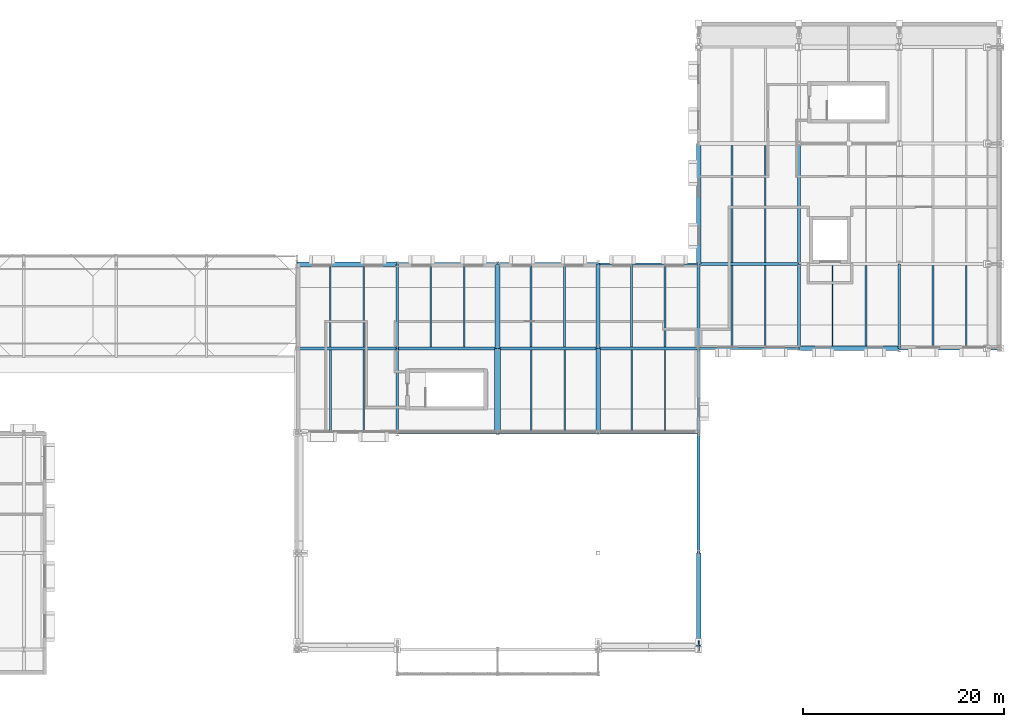
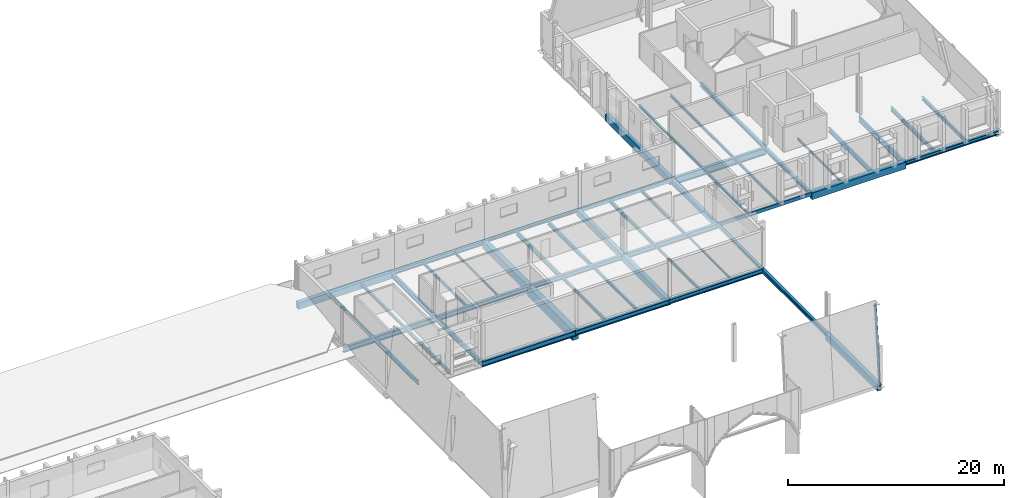
# One storey, part 40 of 90: 51 beams, 1 member.
"""IFC4 building model written with IfcOpenShell, lengths in metres."""

from ifc_helpers import new_model, si_unit, direction, frame, origin, origin_2d, place, context, subcontext, project, spatial, rectangle, hollow_rectangle, i_section, extrude, material, material_profile, profile_set, type_object, element, save


model = new_model("IFC4")

# Units and contexts
model_context = context("Model", 3, precision=1e-05, world=origin(), true_north=direction((0.0, 1.0)))
body_context = subcontext(model_context, "Body", "Model", "MODEL_VIEW")
ifc_project = project(units=[si_unit("LENGTHUNIT", "METRE"), si_unit("AREAUNIT", "SQUARE_METRE"), si_unit("VOLUMEUNIT", "CUBIC_METRE"), si_unit("PLANEANGLEUNIT", "RADIAN"), si_unit("MASSUNIT", "GRAM", prefix="KILO")], contexts=[model_context])

# Site, building, storey
site_placement = place(None, origin())
site = spatial("IfcSite", under=ifc_project, at=site_placement, CompositionType="ELEMENT")
building_placement = place(site_placement, origin())
building = spatial("IfcBuilding", under=site, at=building_placement, Name="Zereglee Splitstone Museum", CompositionType="ELEMENT")
storey_placement = place(building_placement, frame((0.0, 0.0, 4.800048828125)))
storey = spatial("IfcBuildingStorey", under=building, at=storey_placement, Name="L01", CompositionType="ELEMENT", Elevation=4.800048828125)

# Beams
ifc_material_1 = material(Name="Concrete C40/50", Category="concrete")
ifc_material_profile_1 = material_profile(ifc_material_1, rectangle(XDim=0.39990234375, YDim=0.64990234375, at=origin_2d()), Name="RC 400x650")
ifc_profile_set_1 = profile_set([ifc_material_profile_1], Name="Concrete C40/50")
beam_type_1 = type_object("IfcBeamType", Name="BG-04", PredefinedType="BEAM", material=ifc_profile_set_1)
beam_1_placement = place(storey_placement, frame((286.0, 30.0, -0.625), z_axis=(0.0, 1.0, 0.0), x_axis=(-1.0, 0.0, 0.0)))
element("IfcBeam", 1, at=beam_1_placement, inside=storey, type_object=beam_type_1, Name="Primary Girder L01 32 (30.0-38.4)", PredefinedType="BEAM", context=body_context, shape_type="SweptSolid", body=[
    extrude(rectangle(XDim=0.39990234375, YDim=0.64990234375, at=origin_2d()), origin(), (0.0, 0.0, 1.0), 8.39990234375),
])
ifc_material_profile_2 = material_profile(ifc_material_1, rectangle(XDim=0.449951171875, YDim=0.699951171875, at=origin_2d()), Name="RC 450x700")
ifc_profile_set_2 = profile_set([ifc_material_profile_2], Name="Concrete C40/50")
beam_type_2 = type_object("IfcBeamType", Name="BG-03", PredefinedType="BEAM", material=ifc_profile_set_2)
beam_2_placement = place(storey_placement, frame((286.0, 21.60009765625, -0.650146484375), z_axis=(0.0, 1.0, 0.0), x_axis=(-1.0, 0.0, 0.0)))
element("IfcBeam", 2, at=beam_2_placement, inside=storey, type_object=beam_type_2, Name="Primary Girder L01 32 (21.6-30.0)", PredefinedType="BEAM", context=body_context, shape_type="SweptSolid", body=[
    extrude(rectangle(XDim=0.449951171875, YDim=0.699951171875, at=origin_2d()), origin(), (0.0, 0.0, 1.0), 8.39990234375),
])
ifc_material_profile_3 = material_profile(ifc_material_1, rectangle(XDim=0.5, YDim=0.85009765625, at=origin_2d()), Name="RC 500x850")
ifc_profile_set_3 = profile_set([ifc_material_profile_3], Name="Concrete C40/50")
beam_type_3 = type_object("IfcBeamType", Name="BG-02", PredefinedType="BEAM", material=ifc_profile_set_3)
beam_3_placement = place(storey_placement, frame((276.0, 30.0, -0.72509765625), z_axis=(0.0, 1.0, 0.0), x_axis=(-1.0, 0.0, 0.0)))
element("IfcBeam", 3, at=beam_3_placement, inside=storey, type_object=beam_type_3, Name="Primary Girder L01 31 (30.0-38.4)", PredefinedType="BEAM", context=body_context, shape_type="SweptSolid", body=[
    extrude(rectangle(XDim=0.5, YDim=0.85009765625, at=origin_2d()), origin(), (0.0, 0.0, 1.0), 8.39990234375),
])
ifc_material_profile_4 = material_profile(ifc_material_1, rectangle(XDim=0.60009765625, YDim=1.10009765625, at=origin_2d()), Name="RC 600x1100")
ifc_profile_set_4 = profile_set([ifc_material_profile_4], Name="Concrete C40/50")
beam_type_4 = type_object("IfcBeamType", Name="BG-01", PredefinedType="BEAM", material=ifc_profile_set_4)
beam_4_placement = place(storey_placement, frame((276.0, 21.60009765625, -0.85009765625), z_axis=(0.0, 1.0, 0.0), x_axis=(-1.0, 0.0, 0.0)))
element("IfcBeam", 4, at=beam_4_placement, inside=storey, type_object=beam_type_4, Name="Primary Girder L01 31 (21.6-30.0)", PredefinedType="BEAM", context=body_context, shape_type="SweptSolid", body=[
    extrude(rectangle(XDim=0.60009765625, YDim=1.10009765625, at=origin_2d()), origin(), (0.0, 0.0, 1.0), 8.39990234375),
])
ifc_material_2 = material(Name="Steel S355J2", Category="steel")
ifc_material_profile_5 = material_profile(ifc_material_2, i_section(OverallWidth=0.300048828125, OverallDepth=0.360107421875, WebThickness=0.012451171875, FlangeThickness=0.0224609375, FilletRadius=0.027099609375, at=origin_2d()), Name="HE 360 B")
ifc_profile_set_5 = profile_set([ifc_material_profile_5], Name="Steel S355J2")
beam_type_5 = type_object("IfcBeamType", Name="BG-14", PredefinedType="BEAM", material=ifc_profile_set_5)
beam_5_placement = place(storey_placement, frame((306.0, 38.39990234375, -0.47998046875), z_axis=(0.0, 1.0, 0.0), x_axis=(-1.0, 0.0, 0.0)))
element("IfcBeam", 5, at=beam_5_placement, inside=storey, type_object=beam_type_5, Name="Primary Girder L01 34 (38.4-50.4)", PredefinedType="BEAM", context=body_context, shape_type="SweptSolid", body=[
    extrude(i_section(OverallWidth=0.300048828125, OverallDepth=0.360107421875, WebThickness=0.012451171875, FlangeThickness=0.0224609375, FilletRadius=0.027099609375, at=origin_2d()), origin(), (0.0, 0.0, 1.0), 12.0),
])
ifc_material_profile_6 = material_profile(ifc_material_2, i_section(OverallWidth=0.300048828125, OverallDepth=0.39990234375, WebThickness=0.013427734375, FlangeThickness=0.02392578125, FilletRadius=0.027099609375, at=origin_2d()), Name="HE 400 B")
ifc_profile_set_6 = profile_set([ifc_material_profile_6], Name="Steel S355J2")
beam_type_6 = type_object("IfcBeamType", Name="BG-13", PredefinedType="BEAM", material=ifc_profile_set_6)
beam_6_placement = place(storey_placement, frame((306.0, 30.0, -0.5), z_axis=(0.0, 1.0, 0.0), x_axis=(-1.0, 0.0, 0.0)))
element("IfcBeam", 6, at=beam_6_placement, inside=storey, type_object=beam_type_6, Name="Primary Girder L01 34 (30.0-38.4)", PredefinedType="BEAM", context=body_context, shape_type="SweptSolid", body=[
    extrude(i_section(OverallWidth=0.300048828125, OverallDepth=0.39990234375, WebThickness=0.013427734375, FlangeThickness=0.02392578125, FilletRadius=0.027099609375, at=origin_2d()), origin(), (0.0, 0.0, 1.0), 8.39990234375),
])
ifc_material_profile_7 = material_profile(ifc_material_2, i_section(OverallWidth=0.300048828125, OverallDepth=0.5, WebThickness=0.014404296875, FlangeThickness=0.028076171875, FilletRadius=0.027099609375, at=origin_2d()), Name="HE 500 B")
ifc_profile_set_7 = profile_set([ifc_material_profile_7], Name="Steel S355J2")
beam_type_7 = type_object("IfcBeamType", Name="BG-12", PredefinedType="BEAM", material=ifc_profile_set_7)
for number, where, z_axis, x_axis, name in (
    (7, (286.0, 21.60009765625, -0.550048828125), (1.0, 0.0, 0.0), (0.0, 1.0, 0.0), "Primary Girder L01 C (286.0-296.0)"),
    (8, (276.0, 30.0, -0.550048828125), (1.0, 0.0, 0.0), (0.0, 1.0, 0.0), "Primary Girder L01 D (276.0-286.0)"),
):
    element("IfcBeam", number, at=place(storey_placement, frame(where, z_axis=z_axis, x_axis=x_axis)), inside=storey, type_object=beam_type_7, Name=name, PredefinedType="BEAM", context=body_context, shape_type="SweptSolid", body=[
        extrude(i_section(OverallWidth=0.300048828125, OverallDepth=0.5, WebThickness=0.014404296875, FlangeThickness=0.028076171875, FilletRadius=0.027099609375, at=origin_2d()), origin(), (0.0, 0.0, 1.0), 10.0),
    ])
ifc_material_profile_8 = material_profile(ifc_material_2, i_section(OverallWidth=0.300048828125, OverallDepth=0.550048828125, WebThickness=0.014892578125, FlangeThickness=0.029052734375, FilletRadius=0.027099609375, at=origin_2d()), Name="HE 550 B")
ifc_profile_set_8 = profile_set([ifc_material_profile_8], Name="Steel S355J2")
beam_type_8 = type_object("IfcBeamType", Name="BG-11", PredefinedType="BEAM", material=ifc_profile_set_8)
for number, where, z_axis, x_axis, name in (
    (9, (276.0, 21.60009765625, -0.574951171875), (1.0, 0.0, 0.0), (0.0, 1.0, 0.0), "Primary Girder L01 C (276.0-286.0)"),
    (10, (266.0, 30.0, -0.574951171875), (1.0, 0.0, 0.0), (0.0, 1.0, 0.0), "Primary Girder L01 D (266.0-276.0)"),
    (11, (286.0, 30.0, -0.574951171875), (1.0, 0.0, 0.0), (0.0, 1.0, 0.0), "Primary Girder L01 D (286.0-296.0)"),
):
    element("IfcBeam", number, at=place(storey_placement, frame(where, z_axis=z_axis, x_axis=x_axis)), inside=storey, type_object=beam_type_8, Name=name, PredefinedType="BEAM", context=body_context, shape_type="SweptSolid", body=[
        extrude(i_section(OverallWidth=0.300048828125, OverallDepth=0.550048828125, WebThickness=0.014892578125, FlangeThickness=0.029052734375, FilletRadius=0.027099609375, at=origin_2d()), origin(), (0.0, 0.0, 1.0), 10.0),
    ])
ifc_material_profile_9 = material_profile(ifc_material_2, i_section(OverallWidth=0.300048828125, OverallDepth=0.60009765625, WebThickness=0.015380859375, FlangeThickness=0.030029296875, FilletRadius=0.027099609375, at=origin_2d()), Name="HE 600 B")
ifc_profile_set_9 = profile_set([ifc_material_profile_9], Name="Steel S355J2")
beam_type_9 = type_object("IfcBeamType", Name="BG-10", PredefinedType="BEAM", material=ifc_profile_set_9)
for number, where, z_axis, x_axis, name in (
    (12, (266.0, 21.60009765625, -0.60009765625), (1.0, 0.0, 0.0), (0.0, 1.0, 0.0), "Primary Girder L01 C (266.0-276.0)"),
    (13, (256.0, 30.0, -0.60009765625), (1.0, 0.0, 0.0), (0.0, 1.0, 0.0), "Primary Girder L01 D (256.0-266.0)"),
):
    element("IfcBeam", number, at=place(storey_placement, frame(where, z_axis=z_axis, x_axis=x_axis)), inside=storey, type_object=beam_type_9, Name=name, PredefinedType="BEAM", context=body_context, shape_type="SweptSolid", body=[
        extrude(i_section(OverallWidth=0.300048828125, OverallDepth=0.60009765625, WebThickness=0.015380859375, FlangeThickness=0.030029296875, FilletRadius=0.027099609375, at=origin_2d()), origin(), (0.0, 0.0, 1.0), 10.0),
    ])
beam_7_placement = place(storey_placement, frame((296.0, 30.0, -0.60009765625), z_axis=(0.0, 1.0, 0.0), x_axis=(-1.0, 0.0, 0.0)))
element("IfcBeam", 14, at=beam_7_placement, inside=storey, type_object=beam_type_9, Name="Primary Girder L01 33 (30.0-38.4)", PredefinedType="BEAM", context=body_context, shape_type="SweptSolid", body=[
    extrude(i_section(OverallWidth=0.300048828125, OverallDepth=0.60009765625, WebThickness=0.015380859375, FlangeThickness=0.030029296875, FilletRadius=0.027099609375, at=origin_2d()), origin(), (0.0, 0.0, 1.0), 8.39990234375),
])
ifc_material_profile_10 = material_profile(ifc_material_2, i_section(OverallWidth=0.300048828125, OverallDepth=0.800048828125, WebThickness=0.017578125, FlangeThickness=0.032958984375, FilletRadius=0.030029296875, at=origin_2d()), Name="HE 800 B")
ifc_profile_set_10 = profile_set([ifc_material_profile_10], Name="Steel S355J2")
beam_type_10 = type_object("IfcBeamType", Name="BG-07", PredefinedType="BEAM", material=ifc_profile_set_10)
beam_8_placement = place(storey_placement, frame((296.0, 38.39990234375, -0.699951171875), z_axis=(1.0, 0.0, 0.0), x_axis=(0.0, 1.0, 0.0)))
element("IfcBeam", 15, at=beam_8_placement, inside=storey, type_object=beam_type_10, Name="Primary Girder L01 E (296.0-306.0)", PredefinedType="BEAM", context=body_context, shape_type="SweptSolid", body=[
    extrude(i_section(OverallWidth=0.300048828125, OverallDepth=0.800048828125, WebThickness=0.017578125, FlangeThickness=0.032958984375, FilletRadius=0.030029296875, at=origin_2d()), origin(), (0.0, 0.0, 1.0), 10.0),
])
ifc_material_profile_11 = material_profile(ifc_material_2, i_section(OverallWidth=0.2099609375, OverallDepth=0.550048828125, WebThickness=0.010986328125, FlangeThickness=0.01708984375, FilletRadius=0.02392578125, at=origin_2d()), Name="IPE 550")
ifc_profile_set_11 = profile_set([ifc_material_profile_11], Name="Steel S355J2")
beam_type_11 = type_object("IfcBeamType", Name="BG-16", PredefinedType="BEAM", material=ifc_profile_set_11)
beam_9_placement = place(storey_placement, frame((266.0, 21.60009765625, -0.574951171875), z_axis=(0.0, 1.0, 0.0), x_axis=(-1.0, 0.0, 0.0)))
element("IfcBeam", 16, at=beam_9_placement, inside=storey, type_object=beam_type_11, Name="Primary Girder L01 30 (21.6-30.0)", PredefinedType="BEAM", context=body_context, shape_type="SweptSolid", body=[
    extrude(i_section(OverallWidth=0.2099609375, OverallDepth=0.550048828125, WebThickness=0.010986328125, FlangeThickness=0.01708984375, FilletRadius=0.02392578125, at=origin_2d()), origin(), (0.0, 0.0, 1.0), 8.39990234375),
])
ifc_material_profile_12 = material_profile(ifc_material_2, i_section(OverallWidth=0.219970703125, OverallDepth=0.60009765625, WebThickness=0.011962890625, FlangeThickness=0.01904296875, FilletRadius=0.02392578125, at=origin_2d()), Name="IPE 600")
ifc_profile_set_12 = profile_set([ifc_material_profile_12], Name="Steel S355J2")
beam_type_12 = type_object("IfcBeamType", Name="BG-15", PredefinedType="BEAM", material=ifc_profile_set_12)
for number, where, z_axis, x_axis, name in (
    (17, (266.0, 30.0, -0.60009765625), (0.0, 1.0, 0.0), (-1.0, 0.0, 0.0), "Primary Girder L01 30 (30.0-38.4)"),
    (18, (316.0, 30.0, -0.60009765625), (0.0, 1.0, 0.0), (-1.0, 0.0, 0.0), "Primary Girder L01 35 (30.0-38.4)"),
):
    element("IfcBeam", number, at=place(storey_placement, frame(where, z_axis=z_axis, x_axis=x_axis)), inside=storey, type_object=beam_type_12, Name=name, PredefinedType="BEAM", context=body_context, shape_type="SweptSolid", body=[
        extrude(i_section(OverallWidth=0.219970703125, OverallDepth=0.60009765625, WebThickness=0.011962890625, FlangeThickness=0.01904296875, FilletRadius=0.02392578125, at=origin_2d()), origin(), (0.0, 0.0, 1.0), 8.39990234375),
    ])
ifc_material_profile_13 = material_profile(ifc_material_2, i_section(OverallWidth=0.1201171875, OverallDepth=0.239990234375, WebThickness=0.006103515625, FlangeThickness=0.009765625, FilletRadius=0.014892578125, at=origin_2d()), Name="IPE 240")
ifc_profile_set_13 = profile_set([ifc_material_profile_13], Name="Steel S355J2")
beam_type_13 = type_object("IfcBeamType", Name="BJ-07", PredefinedType="JOIST", material=ifc_profile_set_13)
for number, where, z_axis, x_axis, name in (
    (19, (292.666748046875, 21.75, -0.420166015625), (0.0, 1.0, 0.0), (-1.0, 0.0, 0.0), "Secondary Floor Joist L01-0755"),
    (20, (272.666748046875, 30.14990234375, -0.420166015625), (0.0, 1.0, 0.0), (-1.0, 0.0, 0.0), "Secondary Floor Joist L01-0783"),
):
    element("IfcBeam", number, at=place(storey_placement, frame(where, z_axis=z_axis, x_axis=x_axis)), inside=storey, type_object=beam_type_13, Name=name, PredefinedType="JOIST", context=body_context, shape_type="SweptSolid", body=[
        extrude(i_section(OverallWidth=0.1201171875, OverallDepth=0.239990234375, WebThickness=0.006103515625, FlangeThickness=0.009765625, FilletRadius=0.014892578125, at=origin_2d()), origin(), (0.0, 0.0, 1.0), 8.10009765625),
    ])
beam_10_placement = place(storey_placement, frame((309.333251953125, 30.22509765625, -0.420166015625), z_axis=(0.0, 1.0, 0.0), x_axis=(-1.0, 0.0, 0.0)))
element("IfcBeam", 21, at=beam_10_placement, inside=storey, type_object=beam_type_13, Name="Secondary Floor Joist L01-0790", PredefinedType="JOIST", context=body_context, shape_type="SweptSolid", body=[
    extrude(i_section(OverallWidth=0.1201171875, OverallDepth=0.239990234375, WebThickness=0.006103515625, FlangeThickness=0.009765625, FilletRadius=0.014892578125, at=origin_2d()), origin(), (0.0, 0.0, 1.0), 8.02490234375),
])
ifc_material_profile_14 = material_profile(ifc_material_2, i_section(OverallWidth=0.14990234375, OverallDepth=0.300048828125, WebThickness=0.007080078125, FlangeThickness=0.0107421875, FilletRadius=0.014892578125, at=origin_2d()), Name="IPE 300")
ifc_profile_set_14 = profile_set([ifc_material_profile_14], Name="Steel S355J2")
beam_type_14 = type_object("IfcBeamType", Name="BJ-06", PredefinedType="JOIST", material=ifc_profile_set_14)
for number, where, z_axis, x_axis, name in (
    (22, (289.333251953125, 21.75, -0.449951171875), (0.0, 1.0, 0.0), (-1.0, 0.0, 0.0), "Secondary Floor Joist L01-0754"),
    (23, (269.333251953125, 30.14990234375, -0.449951171875), (0.0, 1.0, 0.0), (-1.0, 0.0, 0.0), "Secondary Floor Joist L01-0782"),
):
    element("IfcBeam", number, at=place(storey_placement, frame(where, z_axis=z_axis, x_axis=x_axis)), inside=storey, type_object=beam_type_14, Name=name, PredefinedType="JOIST", context=body_context, shape_type="SweptSolid", body=[
        extrude(i_section(OverallWidth=0.14990234375, OverallDepth=0.300048828125, WebThickness=0.007080078125, FlangeThickness=0.0107421875, FilletRadius=0.014892578125, at=origin_2d()), origin(), (0.0, 0.0, 1.0), 8.10009765625),
    ])
beam_11_placement = place(storey_placement, frame((302.666748046875, 30.10009765625, -0.449951171875), z_axis=(0.0, 1.0, 0.0), x_axis=(-1.0, 0.0, 0.0)))
element("IfcBeam", 24, at=beam_11_placement, inside=storey, type_object=beam_type_14, Name="Secondary Floor Joist L01-0789", PredefinedType="JOIST", context=body_context, shape_type="SweptSolid", body=[
    extrude(i_section(OverallWidth=0.14990234375, OverallDepth=0.300048828125, WebThickness=0.007080078125, FlangeThickness=0.0107421875, FilletRadius=0.014892578125, at=origin_2d()), origin(), (0.0, 0.0, 1.0), 8.14990234375),
])
beam_12_placement = place(storey_placement, frame((302.666748046875, 38.550048828125, -0.449951171875), z_axis=(0.0, 1.0, 0.0), x_axis=(-1.0, 0.0, 0.0)))
element("IfcBeam", 25, at=beam_12_placement, inside=storey, type_object=beam_type_14, Name="Secondary Floor Joist L01-0810", PredefinedType="JOIST", context=body_context, shape_type="SweptSolid", body=[
    extrude(i_section(OverallWidth=0.14990234375, OverallDepth=0.300048828125, WebThickness=0.007080078125, FlangeThickness=0.0107421875, FilletRadius=0.014892578125, at=origin_2d()), origin(), (0.0, 0.0, 1.0), 11.64990234375),
])
ifc_material_profile_15 = material_profile(ifc_material_2, i_section(OverallWidth=0.159912109375, OverallDepth=0.330078125, WebThickness=0.007568359375, FlangeThickness=0.011474609375, FilletRadius=0.01806640625, at=origin_2d()), Name="IPE 330")
ifc_profile_set_15 = profile_set([ifc_material_profile_15], Name="Steel S355J2")
beam_type_15 = type_object("IfcBeamType", Name="BJ-05", PredefinedType="JOIST", material=ifc_profile_set_15)
beam_13_placement = place(storey_placement, frame((282.666748046875, 21.75, -0.465087890625), z_axis=(0.0, 1.0, 0.0), x_axis=(-1.0, 0.0, 0.0)))
element("IfcBeam", 26, at=beam_13_placement, inside=storey, type_object=beam_type_15, Name="Secondary Floor Joist L01-0753", PredefinedType="JOIST", context=body_context, shape_type="SweptSolid", body=[
    extrude(i_section(OverallWidth=0.159912109375, OverallDepth=0.330078125, WebThickness=0.007568359375, FlangeThickness=0.011474609375, FilletRadius=0.01806640625, at=origin_2d()), origin(), (0.0, 0.0, 1.0), 8.10009765625),
])
beam_14_placement = place(storey_placement, frame((262.666748046875, 30.14990234375, -0.465087890625), z_axis=(0.0, 1.0, 0.0), x_axis=(-1.0, 0.0, 0.0)))
element("IfcBeam", 27, at=beam_14_placement, inside=storey, type_object=beam_type_15, Name="Secondary Floor Joist L01-0781", PredefinedType="JOIST", context=body_context, shape_type="SweptSolid", body=[
    extrude(i_section(OverallWidth=0.159912109375, OverallDepth=0.330078125, WebThickness=0.007568359375, FlangeThickness=0.011474609375, FilletRadius=0.01806640625, at=origin_2d()), origin(), (0.0, 0.0, 1.0), 8.025146484375),
])
beam_15_placement = place(storey_placement, frame((299.333251953125, 30.10009765625, -0.465087890625), z_axis=(0.0, 1.0, 0.0), x_axis=(-1.0, 0.0, 0.0)))
element("IfcBeam", 28, at=beam_15_placement, inside=storey, type_object=beam_type_15, Name="Secondary Floor Joist L01-0788", PredefinedType="JOIST", context=body_context, shape_type="SweptSolid", body=[
    extrude(i_section(OverallWidth=0.159912109375, OverallDepth=0.330078125, WebThickness=0.007568359375, FlangeThickness=0.011474609375, FilletRadius=0.01806640625, at=origin_2d()), origin(), (0.0, 0.0, 1.0), 8.14990234375),
])
beam_16_placement = place(storey_placement, frame((299.333251953125, 38.550048828125, -0.465087890625), z_axis=(0.0, 1.0, 0.0), x_axis=(-1.0, 0.0, 0.0)))
element("IfcBeam", 29, at=beam_16_placement, inside=storey, type_object=beam_type_15, Name="Secondary Floor Joist L01-0809", PredefinedType="JOIST", context=body_context, shape_type="SweptSolid", body=[
    extrude(i_section(OverallWidth=0.159912109375, OverallDepth=0.330078125, WebThickness=0.007568359375, FlangeThickness=0.011474609375, FilletRadius=0.01806640625, at=origin_2d()), origin(), (0.0, 0.0, 1.0), 11.64990234375),
])
ifc_material_profile_16 = material_profile(ifc_material_2, i_section(OverallWidth=0.169921875, OverallDepth=0.360107421875, WebThickness=0.008056640625, FlangeThickness=0.0126953125, FilletRadius=0.01806640625, at=origin_2d()), Name="IPE 360")
ifc_profile_set_16 = profile_set([ifc_material_profile_16], Name="Steel S355J2")
beam_type_16 = type_object("IfcBeamType", Name="BJ-04", PredefinedType="JOIST", material=ifc_profile_set_16)
beam_17_placement = place(storey_placement, frame((279.333251953125, 21.75, -0.47998046875), z_axis=(0.0, 1.0, 0.0), x_axis=(-1.0, 0.0, 0.0)))
element("IfcBeam", 30, at=beam_17_placement, inside=storey, type_object=beam_type_16, Name="Secondary Floor Joist L01-0752", PredefinedType="JOIST", context=body_context, shape_type="SweptSolid", body=[
    extrude(i_section(OverallWidth=0.169921875, OverallDepth=0.360107421875, WebThickness=0.008056640625, FlangeThickness=0.0126953125, FilletRadius=0.01806640625, at=origin_2d()), origin(), (0.0, 0.0, 1.0), 8.10009765625),
])
beam_18_placement = place(storey_placement, frame((259.333251953125, 30.14990234375, -0.47998046875), z_axis=(0.0, 1.0, 0.0), x_axis=(-1.0, 0.0, 0.0)))
element("IfcBeam", 31, at=beam_18_placement, inside=storey, type_object=beam_type_16, Name="Secondary Floor Joist L01-0780", PredefinedType="JOIST", context=body_context, shape_type="SweptSolid", body=[
    extrude(i_section(OverallWidth=0.169921875, OverallDepth=0.360107421875, WebThickness=0.008056640625, FlangeThickness=0.0126953125, FilletRadius=0.01806640625, at=origin_2d()), origin(), (0.0, 0.0, 1.0), 8.025146484375),
])
beam_19_placement = place(storey_placement, frame((292.666748046875, 30.14990234375, -0.47998046875), z_axis=(0.0, 1.0, 0.0), x_axis=(-1.0, 0.0, 0.0)))
element("IfcBeam", 32, at=beam_19_placement, inside=storey, type_object=beam_type_16, Name="Secondary Floor Joist L01-0787", PredefinedType="JOIST", context=body_context, shape_type="SweptSolid", body=[
    extrude(i_section(OverallWidth=0.169921875, OverallDepth=0.360107421875, WebThickness=0.008056640625, FlangeThickness=0.0126953125, FilletRadius=0.01806640625, at=origin_2d()), origin(), (0.0, 0.0, 1.0), 8.150146484375),
])
ifc_material_profile_17 = material_profile(ifc_material_2, i_section(OverallWidth=0.179931640625, OverallDepth=0.39990234375, WebThickness=0.008544921875, FlangeThickness=0.013427734375, FilletRadius=0.02099609375, at=origin_2d()), Name="IPE 400")
ifc_profile_set_17 = profile_set([ifc_material_profile_17], Name="Steel S355J2")
beam_type_17 = type_object("IfcBeamType", Name="BJ-03", PredefinedType="JOIST", material=ifc_profile_set_17)
beam_20_placement = place(storey_placement, frame((262.666748046875, 21.75, -0.5), z_axis=(0.0, 1.0, 0.0), x_axis=(-1.0, 0.0, 0.0)))
element("IfcBeam", 33, at=beam_20_placement, inside=storey, type_object=beam_type_17, Name="Secondary Floor Joist L01-0751", PredefinedType="JOIST", context=body_context, shape_type="SweptSolid", body=[
    extrude(i_section(OverallWidth=0.179931640625, OverallDepth=0.39990234375, WebThickness=0.008544921875, FlangeThickness=0.013427734375, FilletRadius=0.02099609375, at=origin_2d()), origin(), (0.0, 0.0, 1.0), 8.10009765625),
])
beam_21_placement = place(storey_placement, frame((289.333251953125, 30.14990234375, -0.5), z_axis=(0.0, 1.0, 0.0), x_axis=(-1.0, 0.0, 0.0)))
element("IfcBeam", 34, at=beam_21_placement, inside=storey, type_object=beam_type_17, Name="Secondary Floor Joist L01-0786", PredefinedType="JOIST", context=body_context, shape_type="SweptSolid", body=[
    extrude(i_section(OverallWidth=0.179931640625, OverallDepth=0.39990234375, WebThickness=0.008544921875, FlangeThickness=0.013427734375, FilletRadius=0.02099609375, at=origin_2d()), origin(), (0.0, 0.0, 1.0), 8.150146484375),
])
beam_22_placement = place(storey_placement, frame((322.666748046875, 30.14990234375, -0.5), z_axis=(0.0, 1.0, 0.0), x_axis=(-1.0, 0.0, 0.0)))
element("IfcBeam", 35, at=beam_22_placement, inside=storey, type_object=beam_type_17, Name="Secondary Floor Joist L01-0793", PredefinedType="JOIST", context=body_context, shape_type="SweptSolid", body=[
    extrude(i_section(OverallWidth=0.179931640625, OverallDepth=0.39990234375, WebThickness=0.008544921875, FlangeThickness=0.013427734375, FilletRadius=0.02099609375, at=origin_2d()), origin(), (0.0, 0.0, 1.0), 8.10009765625),
])
ifc_material_profile_18 = material_profile(ifc_material_2, i_section(OverallWidth=0.18994140625, OverallDepth=0.449951171875, WebThickness=0.009521484375, FlangeThickness=0.0146484375, FilletRadius=0.02099609375, at=origin_2d()), Name="IPE 450")
ifc_profile_set_18 = profile_set([ifc_material_profile_18], Name="Steel S355J2")
beam_type_18 = type_object("IfcBeamType", Name="BJ-02", PredefinedType="JOIST", material=ifc_profile_set_18)
beam_23_placement = place(storey_placement, frame((259.333251953125, 21.75, -0.525146484375), z_axis=(0.0, 1.0, 0.0), x_axis=(-1.0, 0.0, 0.0)))
element("IfcBeam", 36, at=beam_23_placement, inside=storey, type_object=beam_type_18, Name="Secondary Floor Joist L01-0750", PredefinedType="JOIST", context=body_context, shape_type="SweptSolid", body=[
    extrude(i_section(OverallWidth=0.18994140625, OverallDepth=0.449951171875, WebThickness=0.009521484375, FlangeThickness=0.0146484375, FilletRadius=0.02099609375, at=origin_2d()), origin(), (0.0, 0.0, 1.0), 8.10009765625),
])
beam_24_placement = place(storey_placement, frame((282.666748046875, 30.14990234375, -0.525146484375), z_axis=(0.0, 1.0, 0.0), x_axis=(-1.0, 0.0, 0.0)))
element("IfcBeam", 37, at=beam_24_placement, inside=storey, type_object=beam_type_18, Name="Secondary Floor Joist L01-0785", PredefinedType="JOIST", context=body_context, shape_type="SweptSolid", body=[
    extrude(i_section(OverallWidth=0.18994140625, OverallDepth=0.449951171875, WebThickness=0.009521484375, FlangeThickness=0.0146484375, FilletRadius=0.02099609375, at=origin_2d()), origin(), (0.0, 0.0, 1.0), 8.110107421875),
])
beam_25_placement = place(storey_placement, frame((319.333251953125, 30.14990234375, -0.525146484375), z_axis=(0.0, 1.0, 0.0), x_axis=(-1.0, 0.0, 0.0)))
element("IfcBeam", 38, at=beam_25_placement, inside=storey, type_object=beam_type_18, Name="Secondary Floor Joist L01-0792", PredefinedType="JOIST", context=body_context, shape_type="SweptSolid", body=[
    extrude(i_section(OverallWidth=0.18994140625, OverallDepth=0.449951171875, WebThickness=0.009521484375, FlangeThickness=0.0146484375, FilletRadius=0.02099609375, at=origin_2d()), origin(), (0.0, 0.0, 1.0), 8.10009765625),
])
ifc_material_profile_19 = material_profile(ifc_material_2, i_section(OverallWidth=0.199951171875, OverallDepth=0.5, WebThickness=0.01025390625, FlangeThickness=0.01611328125, FilletRadius=0.02099609375, at=origin_2d()), Name="IPE 500")
ifc_profile_set_19 = profile_set([ifc_material_profile_19], Name="Steel S355J2")
beam_type_19 = type_object("IfcBeamType", Name="BJ-01", PredefinedType="JOIST", material=ifc_profile_set_19)
beam_26_placement = place(storey_placement, frame((279.333251953125, 30.14990234375, -0.550048828125), z_axis=(0.0, 1.0, 0.0), x_axis=(-1.0, 0.0, 0.0)))
element("IfcBeam", 39, at=beam_26_placement, inside=storey, type_object=beam_type_19, Name="Secondary Floor Joist L01-0784", PredefinedType="JOIST", context=body_context, shape_type="SweptSolid", body=[
    extrude(i_section(OverallWidth=0.199951171875, OverallDepth=0.5, WebThickness=0.01025390625, FlangeThickness=0.01611328125, FilletRadius=0.02099609375, at=origin_2d()), origin(), (0.0, 0.0, 1.0), 8.110107421875),
])
beam_27_placement = place(storey_placement, frame((312.666748046875, 30.22509765625, -0.550048828125), z_axis=(0.0, 1.0, 0.0), x_axis=(-1.0, 0.0, 0.0)))
element("IfcBeam", 40, at=beam_27_placement, inside=storey, type_object=beam_type_19, Name="Secondary Floor Joist L01-0791", PredefinedType="JOIST", context=body_context, shape_type="SweptSolid", body=[
    extrude(i_section(OverallWidth=0.199951171875, OverallDepth=0.5, WebThickness=0.01025390625, FlangeThickness=0.01611328125, FilletRadius=0.02099609375, at=origin_2d()), origin(), (0.0, 0.0, 1.0), 8.02490234375),
])
ifc_material_profile_20 = material_profile(ifc_material_2, i_section(OverallWidth=0.280029296875, OverallDepth=0.280029296875, WebThickness=0.010498046875, FlangeThickness=0.01806640625, FilletRadius=0.02392578125, at=origin_2d()), Name="HE 280 B")
ifc_profile_set_20 = profile_set([ifc_material_profile_20], Name="Steel S355J2")
beam_type_20 = type_object("IfcBeamType", Name="SP-03", PredefinedType="SPANDREL", material=ifc_profile_set_20)
beam_28_placement = place(storey_placement, frame((276.0, 38.39990234375, -0.43994140625), z_axis=(1.0, 0.0, 0.0), x_axis=(0.0, 1.0, 0.0)))
element("IfcBeam", 41, at=beam_28_placement, inside=storey, type_object=beam_type_20, Name="Primary Girder L01 E (276.0-286.0)", PredefinedType="SPANDREL", context=body_context, shape_type="SweptSolid", body=[
    extrude(i_section(OverallWidth=0.280029296875, OverallDepth=0.280029296875, WebThickness=0.010498046875, FlangeThickness=0.01806640625, FilletRadius=0.02392578125, at=origin_2d()), origin(), (0.0, 0.0, 1.0), 10.0),
])
beam_29_placement = place(storey_placement, frame((296.0, 21.60009765625, -0.43994140625), z_axis=(0.0, 1.0, 0.0), x_axis=(-1.0, 0.0, 0.0)))
element("IfcBeam", 42, at=beam_29_placement, inside=storey, type_object=beam_type_20, Name="Primary Girder L01 33 (21.6-30.0)", PredefinedType="SPANDREL", context=body_context, shape_type="SweptSolid", body=[
    extrude(i_section(OverallWidth=0.280029296875, OverallDepth=0.280029296875, WebThickness=0.010498046875, FlangeThickness=0.01806640625, FilletRadius=0.02392578125, at=origin_2d()), origin(), (0.0, 0.0, 1.0), 8.39990234375),
])
ifc_material_profile_21 = material_profile(ifc_material_2, i_section(OverallWidth=0.300048828125, OverallDepth=0.449951171875, WebThickness=0.013916015625, FlangeThickness=0.02587890625, FilletRadius=0.027099609375, at=origin_2d()), Name="HE 450 B")
ifc_profile_set_21 = profile_set([ifc_material_profile_21], Name="Steel S355J2")
beam_type_21 = type_object("IfcBeamType", Name="SP-02", PredefinedType="SPANDREL", material=ifc_profile_set_21)
for number, where, z_axis, x_axis, name in (
    (43, (316.0, 30.0, -0.525146484375), (1.0, 0.0, 0.0), (0.0, 1.0, 0.0), "Primary Girder L01 D (316.0-326.0)"),
    (44, (266.0, 38.39990234375, -0.525146484375), (1.0, 0.0, 0.0), (0.0, 1.0, 0.0), "Primary Girder L01 E (266.0-276.0)"),
):
    element("IfcBeam", number, at=place(storey_placement, frame(where, z_axis=z_axis, x_axis=x_axis)), inside=storey, type_object=beam_type_21, Name=name, PredefinedType="SPANDREL", context=body_context, shape_type="SweptSolid", body=[
        extrude(i_section(OverallWidth=0.300048828125, OverallDepth=0.449951171875, WebThickness=0.013916015625, FlangeThickness=0.02587890625, FilletRadius=0.027099609375, at=origin_2d()), origin(), (0.0, 0.0, 1.0), 10.0),
    ])
beam_30_placement = place(storey_placement, frame((296.0, 9.60009765625, -0.525146484375), z_axis=(0.0, 1.0, 0.0), x_axis=(-1.0, 0.0, 0.0)))
element("IfcBeam", 45, at=beam_30_placement, inside=storey, type_object=beam_type_21, Name="Primary Girder L01 33 (9.6-21.6)", PredefinedType="SPANDREL", context=body_context, shape_type="SweptSolid", body=[
    extrude(i_section(OverallWidth=0.300048828125, OverallDepth=0.449951171875, WebThickness=0.013916015625, FlangeThickness=0.02587890625, FilletRadius=0.027099609375, at=origin_2d()), origin(), (0.0, 0.0, 1.0), 12.0),
])
ifc_material_profile_22 = material_profile(ifc_material_1, rectangle(XDim=0.449951171875, YDim=0.75, at=origin_2d()), Name="RC 450x750")
ifc_profile_set_22 = profile_set([ifc_material_profile_22], Name="Concrete C40/50")
beam_type_22 = type_object("IfcBeamType", Name="SP-01", PredefinedType="SPANDREL", material=ifc_profile_set_22)
for number, where, z_axis, x_axis, name in (
    (46, (306.0, 30.0, -0.675048828125), (1.0, 0.0, 0.0), (0.0, 1.0, 0.0), "Primary Girder L01 D (306.0-316.0)"),
    (47, (256.0, 38.39990234375, -0.675048828125), (1.0, 0.0, 0.0), (0.0, 1.0, 0.0), "Primary Girder L01 E (256.0-266.0)"),
):
    element("IfcBeam", number, at=place(storey_placement, frame(where, z_axis=z_axis, x_axis=x_axis)), inside=storey, type_object=beam_type_22, Name=name, PredefinedType="SPANDREL", context=body_context, shape_type="SweptSolid", body=[
        extrude(rectangle(XDim=0.449951171875, YDim=0.75, at=origin_2d()), origin(), (0.0, 0.0, 1.0), 10.0),
    ])
beam_31_placement = place(storey_placement, frame((296.0, 0.0, -0.675048828125), z_axis=(0.0, 1.0, 0.0), x_axis=(-1.0, 0.0, 0.0)))
element("IfcBeam", 48, at=beam_31_placement, inside=storey, type_object=beam_type_22, Name="Primary Girder L01 33 (0.0-9.6)", PredefinedType="SPANDREL", context=body_context, shape_type="SweptSolid", body=[
    extrude(rectangle(XDim=0.449951171875, YDim=0.75, at=origin_2d()), origin(), (0.0, 0.0, 1.0), 9.60009765625),
])
beam_32_placement = place(storey_placement, frame((296.0, 38.39990234375, -0.675048828125), z_axis=(0.0, 1.0, 0.0), x_axis=(-1.0, 0.0, 0.0)))
element("IfcBeam", 49, at=beam_32_placement, inside=storey, type_object=beam_type_22, Name="Primary Girder L01 33 (38.4-50.4)", PredefinedType="SPANDREL", context=body_context, shape_type="SweptSolid", body=[
    extrude(rectangle(XDim=0.449951171875, YDim=0.75, at=origin_2d()), origin(), (0.0, 0.0, 1.0), 12.0),
])
ifc_material_3 = material(Name="Steel S355J2H", Category="steel")
ifc_material_profile_23 = material_profile(ifc_material_3, hollow_rectangle(XDim=0.199951171875, YDim=0.39990234375, WallThickness=0.01611328125, at=origin_2d()), Name="RHS 400x200x16")
ifc_profile_set_23 = profile_set([ifc_material_profile_23], Name="Steel S355J2H")
beam_type_23 = type_object("IfcBeamType", Name="SP-04", PredefinedType="SPANDREL", material=ifc_profile_set_23)
for number, where, z_axis, x_axis, name in (
    (50, (296.0, 30.0, -0.5), (1.0, 0.0, 0.0), (0.0, 1.0, 0.0), "Primary Girder L01 D (296.0-306.0)"),
    (51, (286.0, 38.39990234375, -0.5), (1.0, 0.0, 0.0), (0.0, 1.0, 0.0), "Primary Girder L01 E (286.0-296.0)"),
):
    element("IfcBeam", number, at=place(storey_placement, frame(where, z_axis=z_axis, x_axis=x_axis)), inside=storey, type_object=beam_type_23, Name=name, PredefinedType="SPANDREL", context=body_context, shape_type="SweptSolid", body=[
        extrude(hollow_rectangle(XDim=0.199951171875, YDim=0.39990234375, WallThickness=0.01611328125, at=origin_2d()), origin(), (0.0, 0.0, 1.0), 10.0),
    ])

# Member
ifc_material_profile_24 = material_profile(ifc_material_3, hollow_rectangle(XDim=0.14990234375, YDim=0.25, WallThickness=0.010009765625, at=origin_2d()), Name="RHS 250x150x10")
ifc_profile_set_24 = profile_set([ifc_material_profile_24], Name="Steel S355J2H")
member_type = type_object("IfcMemberType", Name="FS-R2", PredefinedType="STRUT", material=ifc_profile_set_24)
member_placement = place(storey_placement, frame((296.0, -0.028076171875, -0.550048828125), z_axis=(0.0, 0.093511255859, 0.995618222527), x_axis=(-1.0, 0.0, 0.0)))
element("IfcMember", 52, at=member_placement, inside=storey, type_object=member_type, Name="Split-Rock Continuous Facet Strut FH-V5SE L01-02", PredefinedType="STRUT", context=body_context, shape_type="SweptSolid", body=[
    extrude(hollow_rectangle(XDim=0.14990234375, YDim=0.25, WallThickness=0.010009765625, at=origin_2d()), origin(), (0.0, 0.0, 1.0), 8.868896484375),
])

save(model, "model.ifc")
